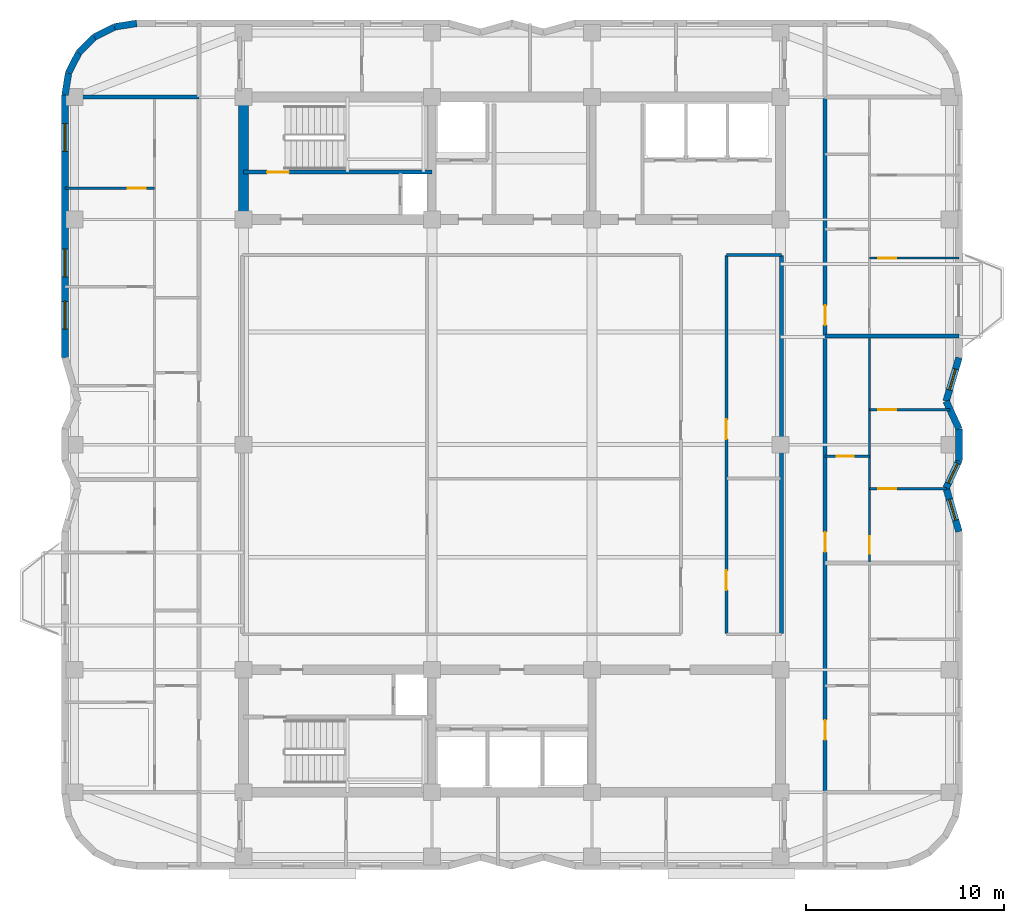
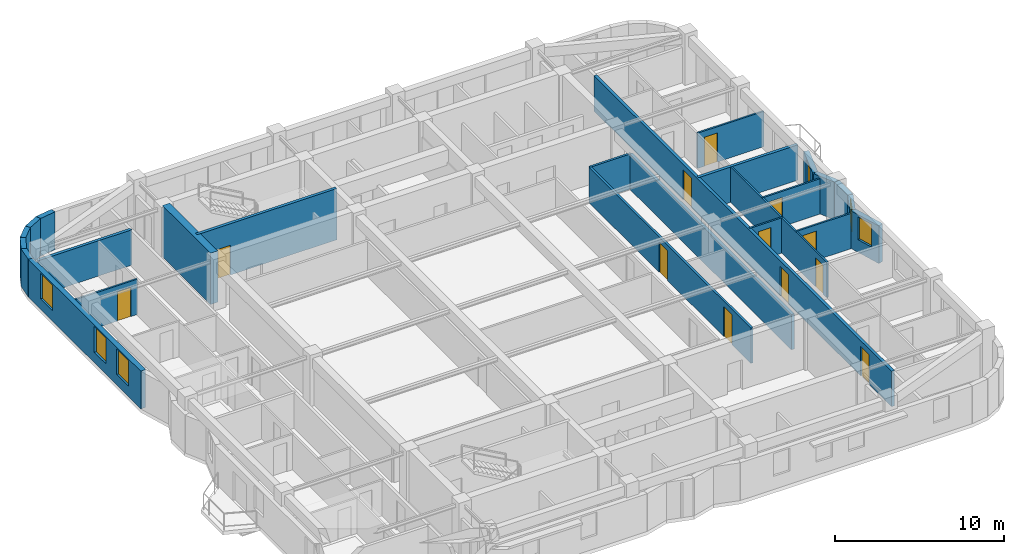
# One storey, part 5 of 9: 25 walls, 12 doors, 6 windows, 18 openings.
"""IFC4 building model written with IfcOpenShell, lengths in metres."""

from ifc_helpers import new_model, si_unit, direction, frame, frame_2d, origin, place, context, subcontext, project, spatial, rectangle, extrude, material, layer, layer_set, type_object, element, fill, save


model = new_model("IFC4")

# Units and contexts
model_context = context("Model", 3, precision=1e-05, world=origin(), true_north=direction((0.0, 1.0)))
body_context = subcontext(model_context, "Body", "Model", "MODEL_VIEW")
ifc_project = project(units=[si_unit("LENGTHUNIT", "METRE"), si_unit("AREAUNIT", "SQUARE_METRE"), si_unit("VOLUMEUNIT", "CUBIC_METRE"), si_unit("PLANEANGLEUNIT", "RADIAN"), si_unit("MASSUNIT", "GRAM", prefix="KILO")], contexts=[model_context])

# Site, building, storey
site_placement = place(None, origin())
site = spatial("IfcSite", under=ifc_project, at=site_placement, CompositionType="ELEMENT")
building_placement = place(site_placement, origin())
building = spatial("IfcBuilding", under=site, at=building_placement, Name="Svetorya Sky Lyceum", CompositionType="ELEMENT")
storey_placement = place(building_placement, frame((0.0, 0.0, 214.699951171875)))
storey = spatial("IfcBuildingStorey", under=building, at=storey_placement, Name="L53", CompositionType="ELEMENT", Elevation=214.699951171875)

# Wall
ifc_material_1 = material(Name="Concrete C50/60", Category="concrete")
ifc_layer_1 = layer(ifc_material_1, 0.5)
ifc_layer_set_1 = layer_set([ifc_layer_1], Name="Concrete C50/60")
wall_type_1 = type_object("IfcWallType", Name="WL-CORE-500", PredefinedType="SHEAR", material=ifc_layer_set_1)
wall_1_placement = place(storey_placement, frame((25.60009765625, 39.85009765625, 0.0), z_axis=(0.0, 0.0, 1.0), x_axis=(0.0, 1.0, 0.0)))
element("IfcWall", 1, at=wall_1_placement, inside=storey, type_object=wall_type_1, Name="L53 NC West Core Shear Wall", PredefinedType="SHEAR", context=body_context, shape_type="SweptSolid", body=[
    extrude(rectangle(XDim=5.699951171875, YDim=0.5, at=frame_2d((2.85009765625, 0.0))), origin(), (0.0, 0.0, 1.0), 3.699951171875),
])

# Wall, opening, window
ifc_material_2 = material(Name="Putilovo limestone rainscreen on autoclaved cellular masonry", Category="masonry")
ifc_layer_2 = layer(ifc_material_2, 0.340087890625)
ifc_layer_set_2 = layer_set([ifc_layer_2], Name="Putilovo limestone rainscreen on autoclaved cellular masonry")
wall_type_2 = type_object("IfcWallType", Name="WL-EXT-340", PredefinedType="SOLIDWALL", material=ifc_layer_set_2)
wall_2_placement = place(storey_placement, frame((61.830078125, 23.800048828125, 0.0), z_axis=(0.0, 0.0, 1.0), x_axis=(-0.283410652833, 0.958998645391, 0.0)))
wall_2 = element("IfcWall", 2, at=wall_2_placement, inside=storey, type_object=wall_type_2, Name="L53 Limestone Exterior Wall 18M", PredefinedType="SOLIDWALL", context=body_context, shape_type="SweptSolid", body=[
    extrude(rectangle(XDim=2.2939453125, YDim=0.340087890625, at=frame_2d((1.14697265625, 0.0))), origin(), (0.0, 0.0, 1.0), 2.719970703125),
])
opening_1_placement = place(wall_2_placement, frame((0.596923828125, 0.0, 0.909912109375)))
opening_1 = element("IfcOpeningElement", 3, at=opening_1_placement, cuts=wall_2, Name="Opening W-R3", PredefinedType="OPENING", context=body_context, shape_type="SweptSolid", body=[
    extrude(rectangle(XDim=1.10009765625, YDim=1.64990234375, at=frame_2d((0.550048828125, 0.824951171875))), frame((0.0, 0.179931640625, 0.0), z_axis=(0.0, -1.0, 0.0), x_axis=(1.0, 0.0, 0.0)), (0.0, 0.0, 1.0), 0.360107421875),
])
ifc_material_3 = material(Name="Thermally broken aluminium frame with triple low-E glazing", Category="aluminium")
window_type_1 = type_object("IfcWindowType", Name="WN-RES-110", PartitioningType="SINGLE_PANEL", PredefinedType="WINDOW", material=ifc_material_3)
window_1_placement = place(opening_1_placement, origin())
window_1 = element("IfcWindow", 4, at=window_1_placement, inside=storey, type_object=window_type_1, Name="L53 Facade Window W-R3.18M.1", OverallHeight=1.64990234375, OverallWidth=1.10009765625, PartitioningType="SINGLE_PANEL", PredefinedType="WINDOW", context=body_context, shape_type="SweptSolid", body=[
    extrude(rectangle(XDim=1.10009765625, YDim=1.64990234375, at=frame_2d((0.550048828125, 0.824951171875))), frame((0.0, 0.030029296875, 0.0), z_axis=(0.0, -1.0, 0.0), x_axis=(1.0, 0.0, 0.0)), (0.0, 0.0, 1.0), 0.06005859375),
])
fill(opening_1, window_1)

wall_3_placement = place(storey_placement, frame((61.179931640625, 26.0, 0.0), z_axis=(0.0, 0.0, 1.0), x_axis=(0.421213543339, 0.906961493619, 0.0)))
wall_3 = element("IfcWall", 5, at=wall_3_placement, inside=storey, type_object=wall_type_2, Name="L53 Limestone Exterior Wall 19M", PredefinedType="SOLIDWALL", context=body_context, shape_type="SweptSolid", body=[
    extrude(rectangle(XDim=1.54345703125, YDim=0.340087890625, at=frame_2d((0.771728515625, 0.0))), origin(), (0.0, 0.0, 1.0), 2.719970703125),
])
opening_2_placement = place(wall_3_placement, frame((0.280029296875, 0.0, 0.909912109375)))
opening_2 = element("IfcOpeningElement", 6, at=opening_2_placement, cuts=wall_3, Name="Opening W-R3", PredefinedType="OPENING", context=body_context, shape_type="SweptSolid", body=[
    extrude(rectangle(XDim=1.10009765625, YDim=1.64990234375, at=frame_2d((0.550048828125, 0.824951171875))), frame((0.0, 0.179931640625, 0.0), z_axis=(0.0, -1.0, 0.0), x_axis=(1.0, 0.0, 0.0)), (0.0, 0.0, 1.0), 0.360107421875),
])
window_2_placement = place(opening_2_placement, origin())
window_2 = element("IfcWindow", 7, at=window_2_placement, inside=storey, type_object=window_type_1, Name="L53 Facade Window W-R3.19M.1", OverallHeight=1.64990234375, OverallWidth=1.10009765625, PartitioningType="SINGLE_PANEL", PredefinedType="WINDOW", context=body_context, shape_type="SweptSolid", body=[
    extrude(rectangle(XDim=1.10009765625, YDim=1.64990234375, at=frame_2d((0.550048828125, 0.824951171875))), frame((0.0, 0.030029296875, 0.0), z_axis=(0.0, -1.0, 0.0), x_axis=(1.0, 0.0, 0.0)), (0.0, 0.0, 1.0), 0.06005859375),
])
fill(opening_2, window_2)

# Walls
wall_4_placement = place(storey_placement, frame((61.830078125, 27.39990234375, 0.0), z_axis=(0.0, 0.0, 1.0), x_axis=(0.0, 1.0, 0.0)))
element("IfcWall", 8, at=wall_4_placement, inside=storey, type_object=wall_type_2, Name="L53 Limestone Exterior Wall 20M", PredefinedType="SOLIDWALL", context=body_context, shape_type="SweptSolid", body=[
    extrude(rectangle(XDim=1.60009765625, YDim=0.340087890625, at=frame_2d((0.800048828125, 0.0))), origin(), (0.0, 0.0, 1.0), 2.719970703125),
])
wall_5_placement = place(storey_placement, frame((61.830078125, 29.0, 0.0), z_axis=(0.0, 0.0, 1.0), x_axis=(-0.421213543339, 0.906961493619, 0.0)))
element("IfcWall", 9, at=wall_5_placement, inside=storey, type_object=wall_type_2, Name="L53 Limestone Exterior Wall 21M", PredefinedType="SOLIDWALL", context=body_context, shape_type="SweptSolid", body=[
    extrude(rectangle(XDim=1.54345703125, YDim=0.340087890625, at=frame_2d((0.771728515625, 0.0))), origin(), (0.0, 0.0, 1.0), 2.719970703125),
])

# Wall, opening, window
wall_6_placement = place(storey_placement, frame((61.179931640625, 30.39990234375, 0.0), z_axis=(0.0, 0.0, 1.0), x_axis=(0.283381730269, 0.959007192335, 0.0)))
wall_6 = element("IfcWall", 10, at=wall_6_placement, inside=storey, type_object=wall_type_2, Name="L53 Limestone Exterior Wall 22M", PredefinedType="SOLIDWALL", context=body_context, shape_type="SweptSolid", body=[
    extrude(rectangle(XDim=2.294189453125, YDim=0.340087890625, at=frame_2d((1.14697265625, 0.0))), origin(), (0.0, 0.0, 1.0), 2.719970703125),
])
opening_3_placement = place(wall_6_placement, frame((0.596923828125, 0.0, 0.909912109375)))
opening_3 = element("IfcOpeningElement", 11, at=opening_3_placement, cuts=wall_6, Name="Opening W-R3", PredefinedType="OPENING", context=body_context, shape_type="SweptSolid", body=[
    extrude(rectangle(XDim=1.10009765625, YDim=1.64990234375, at=frame_2d((0.550048828125, 0.824951171875))), frame((0.0, 0.179931640625, 0.0), z_axis=(0.0, -1.0, 0.0), x_axis=(1.0, 0.0, 0.0)), (0.0, 0.0, 1.0), 0.360107421875),
])
window_3_placement = place(opening_3_placement, origin())
window_3 = element("IfcWindow", 12, at=window_3_placement, inside=storey, type_object=window_type_1, Name="L53 Facade Window W-R3.22M.1", OverallHeight=1.64990234375, OverallWidth=1.10009765625, PartitioningType="SINGLE_PANEL", PredefinedType="WINDOW", context=body_context, shape_type="SweptSolid", body=[
    extrude(rectangle(XDim=1.10009765625, YDim=1.64990234375, at=frame_2d((0.550048828125, 0.824951171875))), frame((0.0, 0.030029296875, 0.0), z_axis=(0.0, -1.0, 0.0), x_axis=(1.0, 0.0, 0.0)), (0.0, 0.0, 1.0), 0.06005859375),
])
fill(opening_3, window_3)

# Walls
wall_7_placement = place(storey_placement, frame((20.199951171875, 49.530029296875, 0.0), z_axis=(0.0, 0.0, 1.0), x_axis=(-0.987675651954, -0.156514556949, 0.0)))
element("IfcWall", 13, at=wall_7_placement, inside=storey, type_object=wall_type_2, Name="L53 Limestone Exterior Wall 35M", PredefinedType="SOLIDWALL", context=body_context, shape_type="SweptSolid", body=[
    extrude(rectangle(XDim=1.135498046875, YDim=0.340087890625, at=frame_2d((0.56787109375, 0.0))), origin(), (0.0, 0.0, 1.0), 2.719970703125),
])
for number, where, z_axis, x_axis, name in (
    (14, (19.078369140625, 49.352294921875, 0.0), (0.0, 0.0, 1.0), (-0.891005044957, -0.453993402883, 0.0), "L53 Limestone Exterior Wall 36M"),
    (15, (18.06640625, 48.836669921875, 0.0), (0.0, 0.0, 1.0), (-0.707214252388, -0.706999293649, 0.0), "L53 Limestone Exterior Wall 37M"),
    (16, (17.26318359375, 48.03369140625, 0.0), (0.0, 0.0, 1.0), (-0.453822724105, -0.891091990249, 0.0), "L53 Limestone Exterior Wall 38M"),
    (17, (16.747802734375, 47.021728515625, 0.0), (0.0, 0.0, 1.0), (-0.156481329164, -0.987680916907, 0.0), "L53 Limestone Exterior Wall 39M"),
):
    element("IfcWall", number, at=place(storey_placement, frame(where, z_axis=z_axis, x_axis=x_axis)), inside=storey, type_object=wall_type_2, Name=name, PredefinedType="SOLIDWALL", context=body_context, shape_type="SweptSolid", body=[
        extrude(rectangle(XDim=1.1357421875, YDim=0.340087890625, at=frame_2d((0.56787109375, 0.0))), origin(), (0.0, 0.0, 1.0), 2.719970703125),
    ])

# Wall, openings, windows
wall_8_placement = place(storey_placement, frame((16.570068359375, 45.89990234375, 0.0), z_axis=(0.0, 0.0, 1.0), x_axis=(0.0, -1.0, 0.0)))
wall_8 = element("IfcWall", 18, at=wall_8_placement, inside=storey, type_object=wall_type_2, Name="L53 Limestone Exterior Wall 40M", PredefinedType="SOLIDWALL", context=body_context, shape_type="SweptSolid", body=[
    extrude(rectangle(XDim=13.2998046875, YDim=0.340087890625, at=frame_2d((6.64990234375, 0.0))), origin(), (0.0, 0.0, 1.0), 2.719970703125),
])
opening_4_placement = place(wall_8_placement, frame((1.449951171875, 0.0, 0.75)))
opening_4 = element("IfcOpeningElement", 19, at=opening_4_placement, cuts=wall_8, Name="Opening W-R2", PredefinedType="OPENING", context=body_context, shape_type="SweptSolid", body=[
    extrude(rectangle(XDim=1.39990234375, YDim=1.85009765625, at=frame_2d((0.699951171875, 0.925048828125))), frame((0.0, 0.179931640625, 0.0), z_axis=(0.0, -1.0, 0.0), x_axis=(1.0, 0.0, 0.0)), (0.0, 0.0, 1.0), 0.360107421875),
])
opening_5_placement = place(wall_8_placement, frame((7.800048828125, 0.0, 0.75)))
opening_5 = element("IfcOpeningElement", 20, at=opening_5_placement, cuts=wall_8, Name="Opening W-R2", PredefinedType="OPENING", context=body_context, shape_type="SweptSolid", body=[
    extrude(rectangle(XDim=1.39990234375, YDim=1.85009765625, at=frame_2d((0.699951171875, 0.925048828125))), frame((0.0, 0.179931640625, 0.0), z_axis=(0.0, -1.0, 0.0), x_axis=(1.0, 0.0, 0.0)), (0.0, 0.0, 1.0), 0.360107421875),
])
opening_6_placement = place(wall_8_placement, frame((10.449951171875, 0.0, 0.75)))
opening_6 = element("IfcOpeningElement", 21, at=opening_6_placement, cuts=wall_8, Name="Opening W-R2", PredefinedType="OPENING", context=body_context, shape_type="SweptSolid", body=[
    extrude(rectangle(XDim=1.39990234375, YDim=1.85009765625, at=frame_2d((0.699951171875, 0.925048828125))), frame((0.0, 0.179931640625, 0.0), z_axis=(0.0, -1.0, 0.0), x_axis=(1.0, 0.0, 0.0)), (0.0, 0.0, 1.0), 0.360107421875),
])
window_type_2 = type_object("IfcWindowType", Name="WN-RES-140", PartitioningType="SINGLE_PANEL", PredefinedType="WINDOW", material=ifc_material_3)
window_4_placement = place(opening_4_placement, origin())
window_4 = element("IfcWindow", 22, at=window_4_placement, inside=storey, type_object=window_type_2, Name="L53 Facade Window W-R2.40M.1", OverallHeight=1.85009765625, OverallWidth=1.39990234375, PartitioningType="SINGLE_PANEL", PredefinedType="WINDOW", context=body_context, shape_type="SweptSolid", body=[
    extrude(rectangle(XDim=1.39990234375, YDim=1.85009765625, at=frame_2d((0.699951171875, 0.925048828125))), frame((0.0, 0.030029296875, 0.0), z_axis=(0.0, -1.0, 0.0), x_axis=(1.0, 0.0, 0.0)), (0.0, 0.0, 1.0), 0.06005859375),
])
fill(opening_4, window_4)
window_5_placement = place(opening_5_placement, origin())
window_5 = element("IfcWindow", 23, at=window_5_placement, inside=storey, type_object=window_type_2, Name="L53 Facade Window W-R2.40M.2", OverallHeight=1.85009765625, OverallWidth=1.39990234375, PartitioningType="SINGLE_PANEL", PredefinedType="WINDOW", context=body_context, shape_type="SweptSolid", body=[
    extrude(rectangle(XDim=1.39990234375, YDim=1.85009765625, at=frame_2d((0.699951171875, 0.925048828125))), frame((0.0, 0.030029296875, 0.0), z_axis=(0.0, -1.0, 0.0), x_axis=(1.0, 0.0, 0.0)), (0.0, 0.0, 1.0), 0.06005859375),
])
fill(opening_5, window_5)
window_6_placement = place(opening_6_placement, origin())
window_6 = element("IfcWindow", 24, at=window_6_placement, inside=storey, type_object=window_type_2, Name="L53 Facade Window W-R2.40M.3", OverallHeight=1.85009765625, OverallWidth=1.39990234375, PartitioningType="SINGLE_PANEL", PredefinedType="WINDOW", context=body_context, shape_type="SweptSolid", body=[
    extrude(rectangle(XDim=1.39990234375, YDim=1.85009765625, at=frame_2d((0.699951171875, 0.925048828125))), frame((0.0, 0.030029296875, 0.0), z_axis=(0.0, -1.0, 0.0), x_axis=(1.0, 0.0, 0.0)), (0.0, 0.0, 1.0), 0.06005859375),
])
fill(opening_6, window_6)

# Wall, opening, door
ifc_material_4 = material(Name="Twin-stud galvanized framing with double fireboard", Category="gypsum")
ifc_layer_3 = layer(ifc_material_4, 0.1201171875)
ifc_layer_set_3 = layer_set([ifc_layer_3], Name="Twin-stud galvanized framing with double fireboard")
wall_type_3 = type_object("IfcWallType", Name="WL-PART-120", PredefinedType="PARTITIONING", material=ifc_layer_set_3)
wall_9_placement = place(storey_placement, frame((16.570068359375, 41.18994140625, 0.0), z_axis=(0.0, 0.0, 1.0), x_axis=(1.0, 0.0, 0.0)))
wall_9 = element("IfcWall", 25, at=wall_9_placement, inside=storey, type_object=wall_type_3, Name="L53 Interior Partition W2-WL3", PredefinedType="PARTITIONING", context=body_context, shape_type="SweptSolid", body=[
    extrude(rectangle(XDim=4.530029296875, YDim=0.1201171875, at=frame_2d((2.26513671875, 0.0))), origin(), (0.0, 0.0, 1.0), 2.550048828125),
])
opening_7_placement = place(wall_9_placement, frame((3.179931640625, 0.0, 0.0)))
opening_7 = element("IfcOpeningElement", 26, at=opening_7_placement, cuts=wall_9, Name="Opening D-RM1", PredefinedType="OPENING", context=body_context, shape_type="SweptSolid", body=[
    extrude(rectangle(XDim=0.89990234375, YDim=2.10009765625, at=frame_2d((0.449951171875, 1.050048828125))), frame((0.0, 0.070068359375, 0.0), z_axis=(0.0, -1.0, 0.0), x_axis=(1.0, 0.0, 0.0)), (0.0, 0.0, 1.0), 0.14013671875),
])
ifc_material_5 = material(Name="Lacquered birch veneer internal door")
door_type_1 = type_object("IfcDoorType", Name="DR-INT-900", OperationType="SINGLE_SWING_LEFT", PredefinedType="DOOR", material=ifc_material_5)
door_1_placement = place(opening_7_placement, origin())
door_1 = element("IfcDoor", 27, at=door_1_placement, inside=storey, type_object=door_type_1, Name="Apartment W2 Bedroom 3 Door", OperationType="SINGLE_SWING_RIGHT", OverallHeight=2.10009765625, OverallWidth=0.89990234375, PredefinedType="DOOR", context=body_context, shape_type="SweptSolid", body=[
    extrude(rectangle(XDim=0.89990234375, YDim=2.10009765625, at=frame_2d((0.449951171875, 1.050048828125))), frame((0.0, 0.02490234375, 0.0), z_axis=(0.0, -1.0, 0.0), x_axis=(1.0, 0.0, 0.0)), (0.0, 0.0, 1.0), 0.050048828125),
])
fill(opening_7, door_1)

wall_10_placement = place(storey_placement, frame((55.050048828125, 27.615966796875, 0.0), z_axis=(0.0, 0.0, 1.0), x_axis=(1.0, 0.0, 0.0)))
wall_10 = element("IfcWall", 28, at=wall_10_placement, inside=storey, type_object=wall_type_3, Name="L53 Interior Partition E2-WH1", PredefinedType="PARTITIONING", context=body_context, shape_type="SweptSolid", body=[
    extrude(rectangle(XDim=2.25, YDim=0.1201171875, at=frame_2d((1.125, 0.0))), origin(), (0.0, 0.0, 1.0), 2.550048828125),
])
opening_8_placement = place(wall_10_placement, frame((0.60009765625, 0.0, 0.0)))
opening_8 = element("IfcOpeningElement", 29, at=opening_8_placement, cuts=wall_10, Name="Opening D-BT1", PredefinedType="OPENING", context=body_context, shape_type="SweptSolid", body=[
    extrude(rectangle(XDim=0.85009765625, YDim=2.10009765625, at=frame_2d((0.425048828125, 1.050048828125))), frame((0.0, 0.070068359375, 0.0), z_axis=(0.0, -1.0, 0.0), x_axis=(1.0, 0.0, 0.0)), (0.0, 0.0, 1.0), 0.14013671875),
])
ifc_material_6 = material(Name="Moisture-resistant laminate bathroom door")
door_type_2 = type_object("IfcDoorType", Name="DR-WET-850", OperationType="SINGLE_SWING_LEFT", PredefinedType="DOOR", material=ifc_material_6)
door_2_placement = place(opening_8_placement, origin())
door_2 = element("IfcDoor", 30, at=door_2_placement, inside=storey, type_object=door_type_2, Name="Apartment E2 Bathroom Door", OperationType="SINGLE_SWING_LEFT", OverallHeight=2.10009765625, OverallWidth=0.85009765625, PredefinedType="DOOR", context=body_context, shape_type="SweptSolid", body=[
    extrude(rectangle(XDim=0.85009765625, YDim=2.10009765625, at=frame_2d((0.425048828125, 1.050048828125))), frame((0.0, 0.02490234375, 0.0), z_axis=(0.0, -1.0, 0.0), x_axis=(1.0, 0.0, 0.0)), (0.0, 0.0, 1.0), 0.050048828125),
])
fill(opening_8, door_2)

wall_11_placement = place(storey_placement, frame((57.300048828125, 25.966064453125, 0.0), z_axis=(0.0, 0.0, 1.0), x_axis=(1.0, 0.0, 0.0)))
wall_11 = element("IfcWall", 31, at=wall_11_placement, inside=storey, type_object=wall_type_3, Name="L53 Interior Partition E2-WL1", PredefinedType="PARTITIONING", context=body_context, shape_type="SweptSolid", body=[
    extrude(rectangle(XDim=3.889892578125, YDim=0.1201171875, at=frame_2d((1.94482421875, 0.0))), origin(), (0.0, 0.0, 1.0), 2.550048828125),
])
opening_9_placement = place(wall_11_placement, frame((0.449951171875, 0.0, 0.0)))
opening_9 = element("IfcOpeningElement", 32, at=opening_9_placement, cuts=wall_11, Name="Opening D-RM1", PredefinedType="OPENING", context=body_context, shape_type="SweptSolid", body=[
    extrude(rectangle(XDim=0.89990234375, YDim=2.10009765625, at=frame_2d((0.449951171875, 1.050048828125))), frame((0.0, 0.070068359375, 0.0), z_axis=(0.0, -1.0, 0.0), x_axis=(1.0, 0.0, 0.0)), (0.0, 0.0, 1.0), 0.14013671875),
])
door_3_placement = place(opening_9_placement, origin())
door_3 = element("IfcDoor", 33, at=door_3_placement, inside=storey, type_object=door_type_1, Name="Apartment E2 Master Bedroom Door", OperationType="SINGLE_SWING_LEFT", OverallHeight=2.10009765625, OverallWidth=0.89990234375, PredefinedType="DOOR", context=body_context, shape_type="SweptSolid", body=[
    extrude(rectangle(XDim=0.89990234375, YDim=2.10009765625, at=frame_2d((0.449951171875, 1.050048828125))), frame((0.0, 0.02490234375, 0.0), z_axis=(0.0, -1.0, 0.0), x_axis=(1.0, 0.0, 0.0)), (0.0, 0.0, 1.0), 0.050048828125),
])
fill(opening_9, door_3)

wall_12_placement = place(storey_placement, frame((57.300048828125, 29.966064453125, 0.0), z_axis=(0.0, 0.0, 1.0), x_axis=(1.0, 0.0, 0.0)))
wall_12 = element("IfcWall", 34, at=wall_12_placement, inside=storey, type_object=wall_type_3, Name="L53 Interior Partition E2-WL2", PredefinedType="PARTITIONING", context=body_context, shape_type="SweptSolid", body=[
    extrude(rectangle(XDim=4.08154296875, YDim=0.1201171875, at=frame_2d((2.040771484375, 0.0))), origin(), (0.0, 0.0, 1.0), 2.550048828125),
])
opening_10_placement = place(wall_12_placement, frame((0.449951171875, 0.0, 0.0)))
opening_10 = element("IfcOpeningElement", 35, at=opening_10_placement, cuts=wall_12, Name="Opening D-RM1", PredefinedType="OPENING", context=body_context, shape_type="SweptSolid", body=[
    extrude(rectangle(XDim=0.89990234375, YDim=2.10009765625, at=frame_2d((0.449951171875, 1.050048828125))), frame((0.0, 0.070068359375, 0.0), z_axis=(0.0, -1.0, 0.0), x_axis=(1.0, 0.0, 0.0)), (0.0, 0.0, 1.0), 0.14013671875),
])
door_4_placement = place(opening_10_placement, origin())
door_4 = element("IfcDoor", 36, at=door_4_placement, inside=storey, type_object=door_type_1, Name="Apartment E2 Bedroom 2 Door", OperationType="SINGLE_SWING_RIGHT", OverallHeight=2.10009765625, OverallWidth=0.89990234375, PredefinedType="DOOR", context=body_context, shape_type="SweptSolid", body=[
    extrude(rectangle(XDim=0.89990234375, YDim=2.10009765625, at=frame_2d((0.449951171875, 1.050048828125))), frame((0.0, 0.02490234375, 0.0), z_axis=(0.0, -1.0, 0.0), x_axis=(1.0, 0.0, 0.0)), (0.0, 0.0, 1.0), 0.050048828125),
])
fill(opening_10, door_4)

wall_13_placement = place(storey_placement, frame((57.300048828125, 22.256103515625, 0.0), z_axis=(0.0, 0.0, 1.0), x_axis=(0.0, 1.0, 0.0)))
wall_13 = element("IfcWall", 37, at=wall_13_placement, inside=storey, type_object=wall_type_3, Name="L53 Interior Partition E2-WV", PredefinedType="PARTITIONING", context=body_context, shape_type="SweptSolid", body=[
    extrude(rectangle(XDim=11.40380859375, YDim=0.1201171875, at=frame_2d((5.701904296875, 0.0))), origin(), (0.0, 0.0, 1.0), 2.550048828125),
])
opening_11_placement = place(wall_13_placement, frame((0.409912109375, 0.0, 0.0)))
opening_11 = element("IfcOpeningElement", 38, at=opening_11_placement, cuts=wall_13, Name="Opening D-RM1", PredefinedType="OPENING", context=body_context, shape_type="SweptSolid", body=[
    extrude(rectangle(XDim=0.89990234375, YDim=2.10009765625, at=frame_2d((0.449951171875, 1.050048828125))), frame((0.0, 0.070068359375, 0.0), z_axis=(0.0, -1.0, 0.0), x_axis=(1.0, 0.0, 0.0)), (0.0, 0.0, 1.0), 0.14013671875),
])
door_5_placement = place(opening_11_placement, origin())
door_5 = element("IfcDoor", 39, at=door_5_placement, inside=storey, type_object=door_type_1, Name="Apartment E2 Living Door", OperationType="SINGLE_SWING_RIGHT", OverallHeight=2.10009765625, OverallWidth=0.89990234375, PredefinedType="DOOR", context=body_context, shape_type="SweptSolid", body=[
    extrude(rectangle(XDim=0.89990234375, YDim=2.10009765625, at=frame_2d((0.449951171875, 1.050048828125))), frame((0.0, 0.02490234375, 0.0), z_axis=(0.0, -1.0, 0.0), x_axis=(1.0, 0.0, 0.0)), (0.0, 0.0, 1.0), 0.050048828125),
])
fill(opening_11, door_5)

wall_14_placement = place(storey_placement, frame((57.300048828125, 37.64990234375, 0.0), z_axis=(0.0, 0.0, 1.0), x_axis=(1.0, 0.0, 0.0)))
wall_14 = element("IfcWall", 40, at=wall_14_placement, inside=storey, type_object=wall_type_3, Name="L53 Interior Partition E3-WL1", PredefinedType="PARTITIONING", context=body_context, shape_type="SweptSolid", body=[
    extrude(rectangle(XDim=4.530029296875, YDim=0.1201171875, at=frame_2d((2.26513671875, 0.0))), origin(), (0.0, 0.0, 1.0), 2.550048828125),
])
opening_12_placement = place(wall_14_placement, frame((0.449951171875, 0.0, 0.0)))
opening_12 = element("IfcOpeningElement", 41, at=opening_12_placement, cuts=wall_14, Name="Opening D-RM1", PredefinedType="OPENING", context=body_context, shape_type="SweptSolid", body=[
    extrude(rectangle(XDim=0.89990234375, YDim=2.10009765625, at=frame_2d((0.449951171875, 1.050048828125))), frame((0.0, 0.070068359375, 0.0), z_axis=(0.0, -1.0, 0.0), x_axis=(1.0, 0.0, 0.0)), (0.0, 0.0, 1.0), 0.14013671875),
])
door_6_placement = place(opening_12_placement, origin())
door_6 = element("IfcDoor", 42, at=door_6_placement, inside=storey, type_object=door_type_1, Name="Apartment E3 Master Bedroom Door", OperationType="SINGLE_SWING_RIGHT", OverallHeight=2.10009765625, OverallWidth=0.89990234375, PredefinedType="DOOR", context=body_context, shape_type="SweptSolid", body=[
    extrude(rectangle(XDim=0.89990234375, YDim=2.10009765625, at=frame_2d((0.449951171875, 1.050048828125))), frame((0.0, 0.02490234375, 0.0), z_axis=(0.0, -1.0, 0.0), x_axis=(1.0, 0.0, 0.0)), (0.0, 0.0, 1.0), 0.050048828125),
])
fill(opening_12, door_6)

# Wall
ifc_material_7 = material(Name="Autoclaved cellular masonry blockwork with acoustic render", Category="masonry")
ifc_layer_4 = layer(ifc_material_7, 0.14990234375)
ifc_layer_set_4 = layer_set([ifc_layer_4], Name="Autoclaved cellular masonry blockwork with acoustic render")
wall_type_4 = type_object("IfcWallType", Name="WL-PART-150", PredefinedType="PARTITIONING", material=ifc_layer_set_4)
wall_15_placement = place(storey_placement, frame((50.050048828125, 37.800048828125, 0.0), z_axis=(0.0, 0.0, 1.0), x_axis=(1.0, 0.0, 0.0)))
element("IfcWall", 43, at=wall_15_placement, inside=storey, type_object=wall_type_4, Name="L53 Interior Partition OFF-CN-E", PredefinedType="PARTITIONING", context=body_context, shape_type="SweptSolid", body=[
    extrude(rectangle(XDim=2.800048828125, YDim=0.14990234375, at=frame_2d((1.39990234375, 0.0))), origin(), (0.0, 0.0, 1.0), 2.550048828125),
])

# Wall, openings, doors
wall_16_placement = place(storey_placement, frame((50.050048828125, 18.6298828125, 0.0), z_axis=(0.0, 0.0, 1.0), x_axis=(0.0, 1.0, 0.0)))
wall_16 = element("IfcWall", 44, at=wall_16_placement, inside=storey, type_object=wall_type_4, Name="L53 Interior Partition OFF-VE", PredefinedType="PARTITIONING", context=body_context, shape_type="SweptSolid", body=[
    extrude(rectangle(XDim=19.14013671875, YDim=0.14990234375, at=frame_2d((9.570068359375, 0.0))), origin(), (0.0, 0.0, 1.0), 2.550048828125),
])
opening_13_placement = place(wall_16_placement, frame((2.199951171875, 0.0, 0.0)))
opening_13 = element("IfcOpeningElement", 45, at=opening_13_placement, cuts=wall_16, Name="Opening D-RM2", PredefinedType="OPENING", context=body_context, shape_type="SweptSolid", body=[
    extrude(rectangle(XDim=1.0, YDim=2.14990234375, at=frame_2d((0.5, 1.074951171875))), frame((0.0, 0.0849609375, 0.0), z_axis=(0.0, -1.0, 0.0), x_axis=(1.0, 0.0, 0.0)), (0.0, 0.0, 1.0), 0.169921875),
])
opening_14_placement = place(wall_16_placement, frame((9.847412109375, 0.0, 0.0)))
opening_14 = element("IfcOpeningElement", 46, at=opening_14_placement, cuts=wall_16, Name="Opening D-RM2", PredefinedType="OPENING", context=body_context, shape_type="SweptSolid", body=[
    extrude(rectangle(XDim=1.0, YDim=2.14990234375, at=frame_2d((0.5, 1.074951171875))), frame((0.0, 0.0849609375, 0.0), z_axis=(0.0, -1.0, 0.0), x_axis=(1.0, 0.0, 0.0)), (0.0, 0.0, 1.0), 0.169921875),
])
ifc_material_8 = material(Name="Solid-core oak acoustic room door")
door_type_3 = type_object("IfcDoorType", Name="DR-INT-1000", OperationType="SINGLE_SWING_LEFT", PredefinedType="DOOR", material=ifc_material_8)
door_7_placement = place(opening_13_placement, origin())
door_7 = element("IfcDoor", 47, at=door_7_placement, inside=storey, type_object=door_type_3, Name="L53 Meeting Door", OperationType="SINGLE_SWING_RIGHT", OverallHeight=2.14990234375, OverallWidth=1.0, PredefinedType="DOOR", context=body_context, shape_type="SweptSolid", body=[
    extrude(rectangle(XDim=1.0, YDim=2.14990234375, at=frame_2d((0.5, 1.074951171875))), frame((0.0, 0.02490234375, 0.0), z_axis=(0.0, -1.0, 0.0), x_axis=(1.0, 0.0, 0.0)), (0.0, 0.0, 1.0), 0.050048828125),
])
fill(opening_13, door_7)
door_8_placement = place(opening_14_placement, origin())
door_8 = element("IfcDoor", 48, at=door_8_placement, inside=storey, type_object=door_type_3, Name="L53 North Room Door", OperationType="SINGLE_SWING_LEFT", OverallHeight=2.14990234375, OverallWidth=1.0, PredefinedType="DOOR", context=body_context, shape_type="SweptSolid", body=[
    extrude(rectangle(XDim=1.0, YDim=2.14990234375, at=frame_2d((0.5, 1.074951171875))), frame((0.0, 0.02490234375, 0.0), z_axis=(0.0, -1.0, 0.0), x_axis=(1.0, 0.0, 0.0)), (0.0, 0.0, 1.0), 0.050048828125),
])
fill(opening_14, door_8)

# Walls
ifc_material_9 = material(Name="Autoclaved cellular masonry blockwork with gypsum plaster", Category="masonry")
ifc_layer_5 = layer(ifc_material_9, 0.199951171875)
ifc_layer_set_5 = layer_set([ifc_layer_5], Name="Autoclaved cellular masonry blockwork with gypsum plaster")
wall_type_5 = type_object("IfcWallType", Name="WL-PART-200", PredefinedType="PARTITIONING", material=ifc_layer_set_5)
wall_17_placement = place(storey_placement, frame((52.85009765625, 18.6298828125, 0.0), z_axis=(0.0, 0.0, 1.0), x_axis=(0.0, 1.0, 0.0)))
element("IfcWall", 49, at=wall_17_placement, inside=storey, type_object=wall_type_5, Name="L53 Interior Partition E-CEN-SEP", PredefinedType="PARTITIONING", context=body_context, shape_type="SweptSolid", body=[
    extrude(rectangle(XDim=19.14013671875, YDim=0.199951171875, at=frame_2d((9.570068359375, 0.0))), origin(), (0.0, 0.0, 1.0), 2.550048828125),
])
wall_18_placement = place(storey_placement, frame((16.989990234375, 45.800048828125, 0.0), z_axis=(0.0, 0.0, 1.0), x_axis=(1.0, 0.0, 0.0)))
element("IfcWall", 50, at=wall_18_placement, inside=storey, type_object=wall_type_5, Name="L53 Interior Partition W-CAP-N", PredefinedType="PARTITIONING", context=body_context, shape_type="SweptSolid", body=[
    extrude(rectangle(XDim=6.360107421875, YDim=0.199951171875, at=frame_2d((3.18017578125, 0.0))), origin(), (0.0, 0.0, 1.0), 2.550048828125),
])
wall_19_placement = place(storey_placement, frame((55.050048828125, 33.699951171875, 0.0), z_axis=(0.0, 0.0, 1.0), x_axis=(1.0, 0.0, 0.0)))
element("IfcWall", 51, at=wall_19_placement, inside=storey, type_object=wall_type_5, Name="L53 Interior Partition E-PARTY-2", PredefinedType="PARTITIONING", context=body_context, shape_type="SweptSolid", body=[
    extrude(rectangle(XDim=6.780029296875, YDim=0.199951171875, at=frame_2d((3.39013671875, 0.0))), origin(), (0.0, 0.0, 1.0), 2.550048828125),
])

# Wall, openings, doors
wall_20_placement = place(storey_placement, frame((55.050048828125, 10.60009765625, 0.0), z_axis=(0.0, 0.0, 1.0), x_axis=(0.0, 1.0, 0.0)))
wall_20 = element("IfcWall", 52, at=wall_20_placement, inside=storey, type_object=wall_type_5, Name="L53 Interior Partition E-CORRW", PredefinedType="PARTITIONING", context=body_context, shape_type="SweptSolid", body=[
    extrude(rectangle(XDim=35.199951171875, YDim=0.199951171875, at=frame_2d((17.60009765625, 0.0))), origin(), (0.0, 0.0, 1.0), 2.550048828125),
])
opening_15_placement = place(wall_20_placement, frame((2.64990234375, 0.0, 0.0)))
opening_15 = element("IfcOpeningElement", 53, at=opening_15_placement, cuts=wall_20, Name="Opening D-APT1", PredefinedType="OPENING", context=body_context, shape_type="SweptSolid", body=[
    extrude(rectangle(XDim=1.0, YDim=2.14990234375, at=frame_2d((0.5, 1.074951171875))), frame((0.0, 0.10986328125, 0.0), z_axis=(0.0, -1.0, 0.0), x_axis=(1.0, 0.0, 0.0)), (0.0, 0.0, 1.0), 0.219970703125),
])
opening_16_placement = place(wall_20_placement, frame((12.166015625, 0.0, 0.0)))
opening_16 = element("IfcOpeningElement", 54, at=opening_16_placement, cuts=wall_20, Name="Opening D-APT1", PredefinedType="OPENING", context=body_context, shape_type="SweptSolid", body=[
    extrude(rectangle(XDim=1.0, YDim=2.14990234375, at=frame_2d((0.5, 1.074951171875))), frame((0.0, 0.10986328125, 0.0), z_axis=(0.0, -1.0, 0.0), x_axis=(1.0, 0.0, 0.0)), (0.0, 0.0, 1.0), 0.219970703125),
])
opening_17_placement = place(wall_20_placement, frame((23.64990234375, 0.0, 0.0)))
opening_17 = element("IfcOpeningElement", 55, at=opening_17_placement, cuts=wall_20, Name="Opening D-APT1", PredefinedType="OPENING", context=body_context, shape_type="SweptSolid", body=[
    extrude(rectangle(XDim=1.0, YDim=2.14990234375, at=frame_2d((0.5, 1.074951171875))), frame((0.0, 0.10986328125, 0.0), z_axis=(0.0, -1.0, 0.0), x_axis=(1.0, 0.0, 0.0)), (0.0, 0.0, 1.0), 0.219970703125),
])
ifc_material_10 = material(Name="Insulated oak-veneered apartment entrance door")
door_type_4 = type_object("IfcDoorType", Name="DR-APT-1000", OperationType="SINGLE_SWING_LEFT", PredefinedType="DOOR", material=ifc_material_10)
door_9_placement = place(opening_15_placement, origin())
door_9 = element("IfcDoor", 56, at=door_9_placement, inside=storey, type_object=door_type_4, Name="L53 Apartment E1 Entrance Door", OperationType="SINGLE_SWING_RIGHT", OverallHeight=2.14990234375, OverallWidth=1.0, PredefinedType="DOOR", context=body_context, shape_type="SweptSolid", body=[
    extrude(rectangle(XDim=1.0, YDim=2.14990234375, at=frame_2d((0.5, 1.074951171875))), frame((0.0, 0.02490234375, 0.0), z_axis=(0.0, -1.0, 0.0), x_axis=(1.0, 0.0, 0.0)), (0.0, 0.0, 1.0), 0.050048828125),
])
fill(opening_15, door_9)
door_10_placement = place(opening_16_placement, origin())
door_10 = element("IfcDoor", 57, at=door_10_placement, inside=storey, type_object=door_type_4, Name="L53 Apartment E2 Entrance Door", OperationType="SINGLE_SWING_LEFT", OverallHeight=2.14990234375, OverallWidth=1.0, PredefinedType="DOOR", context=body_context, shape_type="SweptSolid", body=[
    extrude(rectangle(XDim=1.0, YDim=2.14990234375, at=frame_2d((0.5, 1.074951171875))), frame((0.0, 0.02490234375, 0.0), z_axis=(0.0, -1.0, 0.0), x_axis=(1.0, 0.0, 0.0)), (0.0, 0.0, 1.0), 0.050048828125),
])
fill(opening_16, door_10)
door_11_placement = place(opening_17_placement, origin())
door_11 = element("IfcDoor", 58, at=door_11_placement, inside=storey, type_object=door_type_4, Name="L53 Apartment E3 Entrance Door", OperationType="SINGLE_SWING_RIGHT", OverallHeight=2.14990234375, OverallWidth=1.0, PredefinedType="DOOR", context=body_context, shape_type="SweptSolid", body=[
    extrude(rectangle(XDim=1.0, YDim=2.14990234375, at=frame_2d((0.5, 1.074951171875))), frame((0.0, 0.02490234375, 0.0), z_axis=(0.0, -1.0, 0.0), x_axis=(1.0, 0.0, 0.0)), (0.0, 0.0, 1.0), 0.050048828125),
])
fill(opening_17, door_11)

# Wall, opening, door
ifc_layer_6 = layer(ifc_material_1, 0.199951171875)
ifc_layer_set_6 = layer_set([ifc_layer_6], Name="Concrete C50/60")
wall_type_6 = type_object("IfcWallType", Name="WL-SHW-200", PredefinedType="SHEAR", material=ifc_layer_set_6)
wall_21_placement = place(storey_placement, frame((35.14990234375, 42.0, 0.0), z_axis=(0.0, 0.0, 1.0), x_axis=(-1.0, 0.0, 0.0)))
wall_21 = element("IfcWall", 59, at=wall_21_placement, inside=storey, type_object=wall_type_6, Name="L53 Structural Stair Shaft Wall NC-STW", PredefinedType="SHEAR", context=body_context, shape_type="SweptSolid", body=[
    extrude(rectangle(XDim=9.5498046875, YDim=0.199951171875, at=frame_2d((4.77490234375, 0.0))), origin(), (0.0, 0.0, 1.0), 3.699951171875),
])
opening_18_placement = place(wall_21_placement, frame((7.25, 0.0, 0.0)))
opening_18 = element("IfcOpeningElement", 60, at=opening_18_placement, cuts=wall_21, Name="Opening D-ST1", PredefinedType="OPENING", context=body_context, shape_type="SweptSolid", body=[
    extrude(rectangle(XDim=1.10009765625, YDim=2.14990234375, at=frame_2d((0.550048828125, 1.074951171875))), frame((0.0, 0.10986328125, 0.0), z_axis=(0.0, -1.0, 0.0), x_axis=(1.0, 0.0, 0.0)), (0.0, 0.0, 1.0), 0.219970703125),
])
ifc_material_11 = material(Name="Powder-coated insulated galvanized stair fire door")
door_type_5 = type_object("IfcDoorType", Name="DR-FIRE-1100", OperationType="SINGLE_SWING_LEFT", PredefinedType="DOOR", material=ifc_material_11)
door_12_placement = place(opening_18_placement, origin())
door_12 = element("IfcDoor", 61, at=door_12_placement, inside=storey, type_object=door_type_5, Name="L53 Stair ST-N Vestibule Fire Door", OperationType="SINGLE_SWING_RIGHT", OverallHeight=2.14990234375, OverallWidth=1.10009765625, PredefinedType="DOOR", context=body_context, shape_type="SweptSolid", body=[
    extrude(rectangle(XDim=1.10009765625, YDim=2.14990234375, at=frame_2d((0.550048828125, 1.074951171875))), frame((0.0, 0.02490234375, 0.0), z_axis=(0.0, -1.0, 0.0), x_axis=(1.0, 0.0, 0.0)), (0.0, 0.0, 1.0), 0.050048828125),
])
fill(opening_18, door_12)

save(model, "model.ifc")
